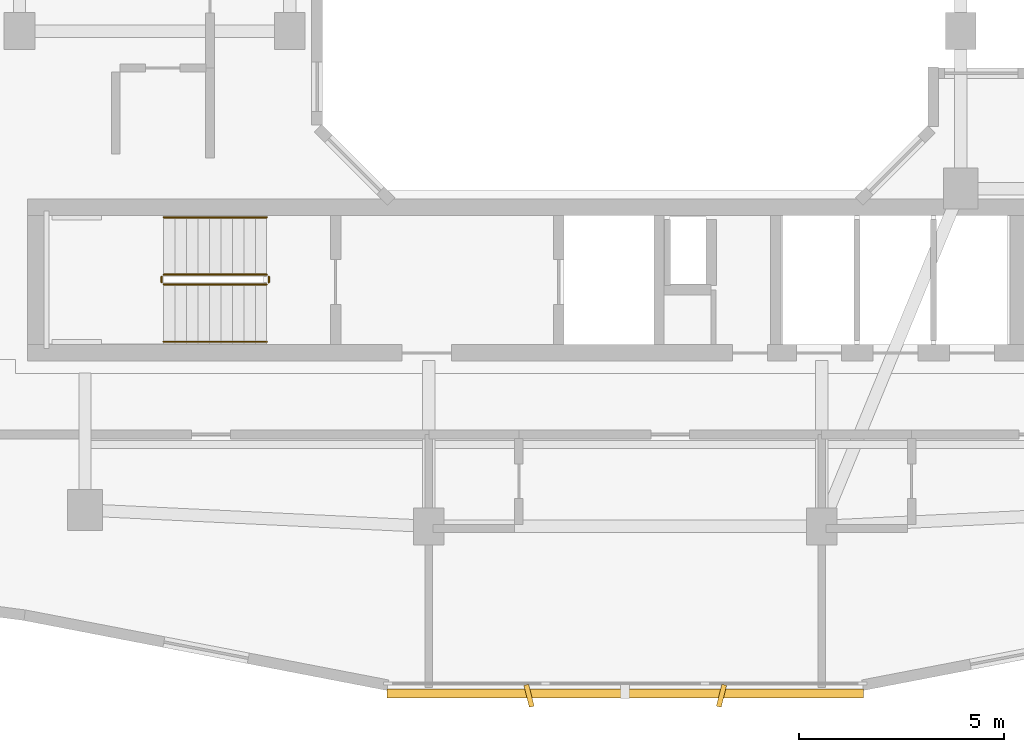
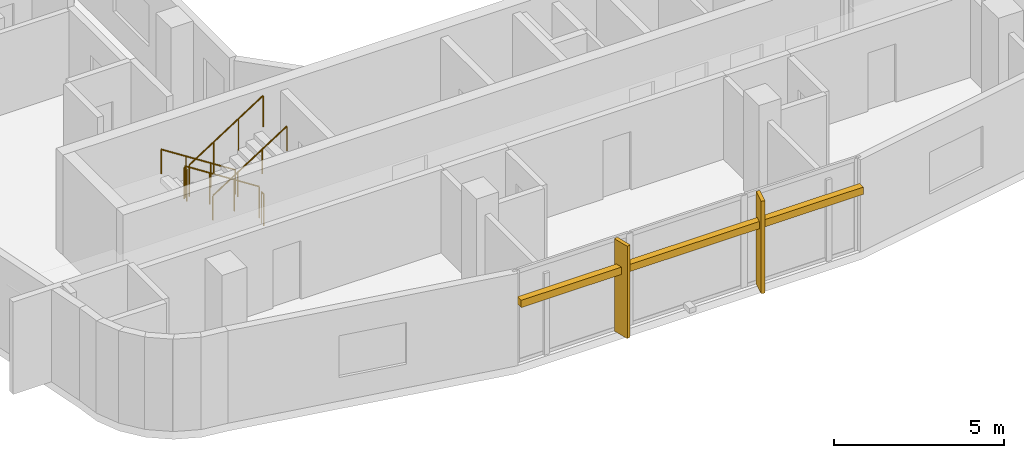
# One storey, part 9 of 12: 6 railings, 3 shading devices.
"""IFC4 building model written with IfcOpenShell, lengths in metres."""

from ifc_helpers import new_model, si_unit, derived_unit, direction, frame, origin, origin_2d, place, context, subcontext, project, spatial, rectangle, circle, extrude, material, type_object, element, save


model = new_model("IFC4")

# Units and contexts
model_context = context("Model", 3, precision=1e-05, world=origin(), true_north=direction((0.0, 1.0)))
body_context = subcontext(model_context, "Body", "Model", "MODEL_VIEW")
ifc_project = project(units=[si_unit("LENGTHUNIT", "METRE"), si_unit("AREAUNIT", "SQUARE_METRE"), si_unit("VOLUMEUNIT", "CUBIC_METRE"), si_unit("PLANEANGLEUNIT", "RADIAN"), si_unit("MASSUNIT", "GRAM", prefix="KILO"), derived_unit("THERMALTRANSMITTANCEUNIT", [(si_unit("POWERUNIT", "WATT"), 1), (si_unit("LENGTHUNIT", "METRE"), -2), (si_unit("THERMODYNAMICTEMPERATUREUNIT", "KELVIN"), -1)])], contexts=[model_context])

# Site, building, storey
site_placement = place(None, origin())
site = spatial("IfcSite", under=ifc_project, at=site_placement, CompositionType="ELEMENT")
building_placement = place(site_placement, origin())
building = spatial("IfcBuilding", under=site, at=building_placement, Name="Kivonza Crest Hotel", CompositionType="ELEMENT")
storey_placement = place(building_placement, frame((0.0, 0.0, 181.10009765625)))
storey = spatial("IfcBuildingStorey", under=building, at=storey_placement, Name="L49", CompositionType="ELEMENT", Elevation=181.10009765625)

# Railings
ifc_material_1 = material(Name="Brushed stainless steel handrail", Category="steel")
railing_type_1 = type_object("IfcRailingType", Name="RL-HAND-900", PredefinedType="HANDRAIL", material=ifc_material_1)
railing_1_placement = place(storey_placement, frame((12.239990234375, 16.949951171875, 0.179931640625)))
element("IfcRailing", 1, at=railing_1_placement, inside=storey, type_object=railing_type_1, Name="L49 ST-T1-S stair handrail 1", PredefinedType="HANDRAIL", context=body_context, shape_type="SweptSolid", body=[
    extrude(circle(Radius=0.02392578125, at=origin_2d()), frame((0.0, 0.0, 0.8759765625), z_axis=(-0.841199657755, 0.0, 0.540724639528), x_axis=(0.0, -1.0, 0.0)), (0.0, 0.0, 1.0), 2.995849609375),
    extrude(circle(Radius=0.02099609375, at=origin_2d()), origin(), (0.0, 0.0, 1.0), 0.851806640625),
    extrude(circle(Radius=0.02099609375, at=origin_2d()), frame((-0.840087890625, 0.0, 0.5400390625)), (0.0, 0.0, 1.0), 0.851806640625),
    extrude(circle(Radius=0.02099609375, at=origin_2d()), frame((-1.679931640625, 0.0, 1.079833984375)), (0.0, 0.0, 1.0), 0.851806640625),
    extrude(circle(Radius=0.02099609375, at=origin_2d()), frame((-2.52001953125, 0.0, 1.619873046875)), (0.0, 0.0, 1.0), 0.851806640625),
])
railing_2_placement = place(storey_placement, frame((9.719970703125, 13.909912109375, 1.97998046875)))
element("IfcRailing", 2, at=railing_2_placement, inside=storey, type_object=railing_type_1, Name="L49 ST-T1-S stair handrail 2", PredefinedType="HANDRAIL", context=body_context, shape_type="SweptSolid", body=[
    extrude(circle(Radius=0.02392578125, at=origin_2d()), frame((0.0, 0.0, 0.8759765625), z_axis=(0.841199657755, 0.0, 0.540724639528), x_axis=(0.0, 1.0, 0.0)), (0.0, 0.0, 1.0), 2.995849609375),
    extrude(circle(Radius=0.02099609375, at=origin_2d()), origin(), (0.0, 0.0, 1.0), 0.851806640625),
    extrude(circle(Radius=0.02099609375, at=origin_2d()), frame((0.840087890625, 0.0, 0.5400390625)), (0.0, 0.0, 1.0), 0.851806640625),
    extrude(circle(Radius=0.02099609375, at=origin_2d()), frame((1.679931640625, 0.0, 1.079833984375)), (0.0, 0.0, 1.0), 0.851806640625),
    extrude(circle(Radius=0.02099609375, at=origin_2d()), frame((2.52001953125, 0.0, 1.619873046875)), (0.0, 0.0, 1.0), 0.851806640625),
])
ifc_material_2 = material(Name="Painted steel balustrade", Category="steel")
railing_type_2 = type_object("IfcRailingType", Name="RL-STAIR-1150", PredefinedType="BALUSTRADE", material=ifc_material_2)
railing_3_placement = place(storey_placement, frame((12.239990234375, 15.550048828125, 0.179931640625)))
element("IfcRailing", 3, at=railing_3_placement, inside=storey, type_object=railing_type_2, Name="L49 ST-T1-S stair guard 1", PredefinedType="BALUSTRADE", context=body_context, shape_type="SweptSolid", body=[
    extrude(circle(Radius=0.02392578125, at=origin_2d()), frame((0.0, 0.0, 1.1259765625), z_axis=(-0.841199657755, 0.0, 0.540724639528), x_axis=(0.0, -1.0, 0.0)), (0.0, 0.0, 1.0), 2.995849609375),
    extrude(circle(Radius=0.02099609375, at=origin_2d()), origin(), (0.0, 0.0, 1.0), 1.101806640625),
    extrude(circle(Radius=0.02099609375, at=origin_2d()), frame((-0.840087890625, 0.0, 0.5400390625)), (0.0, 0.0, 1.0), 1.101806640625),
    extrude(circle(Radius=0.02099609375, at=origin_2d()), frame((-1.679931640625, 0.0, 1.079833984375)), (0.0, 0.0, 1.0), 1.101806640625),
    extrude(circle(Radius=0.02099609375, at=origin_2d()), frame((-2.52001953125, 0.0, 1.619873046875)), (0.0, 0.0, 1.0), 1.101806640625),
])
railing_4_placement = place(storey_placement, frame((9.669921875, 15.5, 1.7998046875)))
element("IfcRailing", 4, at=railing_4_placement, inside=storey, type_object=railing_type_2, Name="L49 ST-T1-S stair guard 2", PredefinedType="BALUSTRADE", context=body_context, shape_type="SweptSolid", body=[
    extrude(circle(Radius=0.02392578125, at=origin_2d()), frame((0.0, 0.0, 1.1259765625), z_axis=(0.0, -1.0, 0.0), x_axis=(1.0, 0.0, 0.0)), (0.0, 0.0, 1.0), 0.139892578125),
    extrude(circle(Radius=0.02099609375, at=origin_2d()), origin(), (0.0, 0.0, 1.0), 1.101806640625),
    extrude(circle(Radius=0.02099609375, at=origin_2d()), frame((0.0, -0.139892578125, 0.0)), (0.0, 0.0, 1.0), 1.101806640625),
])
railing_5_placement = place(storey_placement, frame((9.719970703125, 15.31005859375, 1.97998046875)))
element("IfcRailing", 5, at=railing_5_placement, inside=storey, type_object=railing_type_2, Name="L49 ST-T1-S stair guard 3", PredefinedType="BALUSTRADE", context=body_context, shape_type="SweptSolid", body=[
    extrude(circle(Radius=0.02392578125, at=origin_2d()), frame((0.0, 0.0, 1.1259765625), z_axis=(0.841199657755, 0.0, 0.540724639528), x_axis=(0.0, 1.0, 0.0)), (0.0, 0.0, 1.0), 2.995849609375),
    extrude(circle(Radius=0.02099609375, at=origin_2d()), origin(), (0.0, 0.0, 1.0), 1.101806640625),
    extrude(circle(Radius=0.02099609375, at=origin_2d()), frame((0.840087890625, 0.0, 0.5400390625)), (0.0, 0.0, 1.0), 1.101806640625),
    extrude(circle(Radius=0.02099609375, at=origin_2d()), frame((1.679931640625, 0.0, 1.079833984375)), (0.0, 0.0, 1.0), 1.101806640625),
    extrude(circle(Radius=0.02099609375, at=origin_2d()), frame((2.52001953125, 0.0, 1.619873046875)), (0.0, 0.0, 1.0), 1.101806640625),
])
railing_6_placement = place(storey_placement, frame((12.2900390625, 15.5, 0.0)))
element("IfcRailing", 6, at=railing_6_placement, inside=storey, type_object=railing_type_2, Name="L49 ST-T1-S stair guard 4", PredefinedType="BALUSTRADE", context=body_context, shape_type="SweptSolid", body=[
    extrude(circle(Radius=0.02392578125, at=origin_2d()), frame((0.0, 0.0, 1.1259765625), z_axis=(0.0, -1.0, 0.0), x_axis=(1.0, 0.0, 0.0)), (0.0, 0.0, 1.0), 0.139892578125),
    extrude(circle(Radius=0.02099609375, at=origin_2d()), origin(), (0.0, 0.0, 1.0), 1.101806640625),
    extrude(circle(Radius=0.02099609375, at=origin_2d()), frame((0.0, -0.139892578125, 0.0)), (0.0, 0.0, 1.0), 1.101806640625),
])

# Shading devices
ifc_material_3 = material(Name="Kiln-fired Nairobi red-ochre terracotta", Category="masonry")
shading_device_type_1 = type_object("IfcShadingDeviceType", Name="SH-BAGUETTE-300", PredefinedType="USERDEFINED", material=ifc_material_3)
shading_device_placement = place(storey_placement, frame((21.0, 5.320068359375, 2.19384765625), z_axis=(0.0, 0.0, 1.0), x_axis=(1.0, 0.0, 0.0)))
element("IfcShadingDevice", 7, at=shading_device_placement, inside=storey, type_object=shading_device_type_1, Name="L49 terracotta baguette screen CW-T1-L49-08", ObjectType="BAGUETTE", PredefinedType="USERDEFINED", context=body_context, shape_type="SweptSolid", body=[
    extrude(rectangle(XDim=11.639892578125, YDim=0.219970703125, at=origin_2d()), origin(), (0.0, 0.0, 1.0), 0.260009765625),
])
ifc_material_4 = material(Name="Kiln-fired terracotta over extruded aluminium spine", Category="masonry")
shading_device_type_2 = type_object("IfcShadingDeviceType", Name="SH-FIN-550", PredefinedType="USERDEFINED", material=ifc_material_4)
for number, where, z_axis, x_axis, name in (
    (8, (18.64794921875, 5.260009765625, 0.0), (0.0, 0.0, 1.0), (0.970295726276, 0.2419218956, 0.0), "L49 vertical solar shading fin CW-T1-L49-08-1"),
    (9, (23.35205078125, 5.260009765625, 0.0), (0.0, 0.0, 1.0), (0.970295726276, -0.2419218956, 0.0), "L49 vertical solar shading fin CW-T1-L49-08-2"),
):
    element("IfcShadingDevice", number, at=place(storey_placement, frame(where, z_axis=z_axis, x_axis=x_axis)), inside=storey, type_object=shading_device_type_2, Name=name, ObjectType="FIN", PredefinedType="USERDEFINED", context=body_context, shape_type="SweptSolid", body=[
        extrude(rectangle(XDim=0.1201171875, YDim=0.550048828125, at=origin_2d()), origin(), (0.0, 0.0, 1.0), 3.320068359375),
    ])

save(model, "model.ifc")
